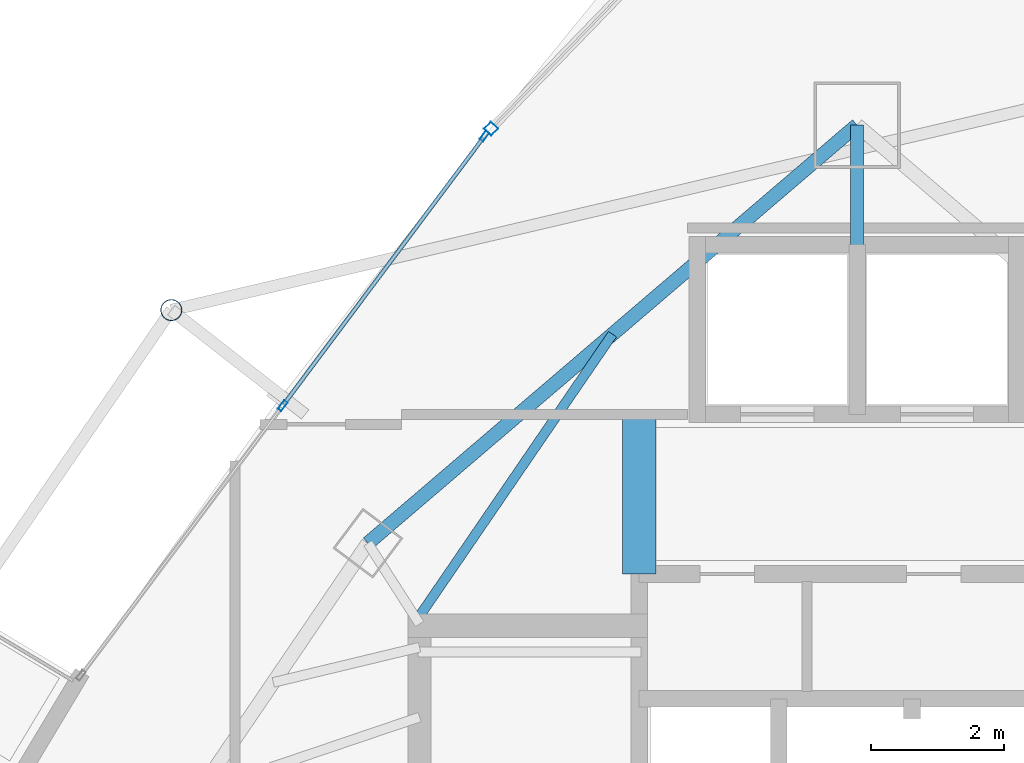
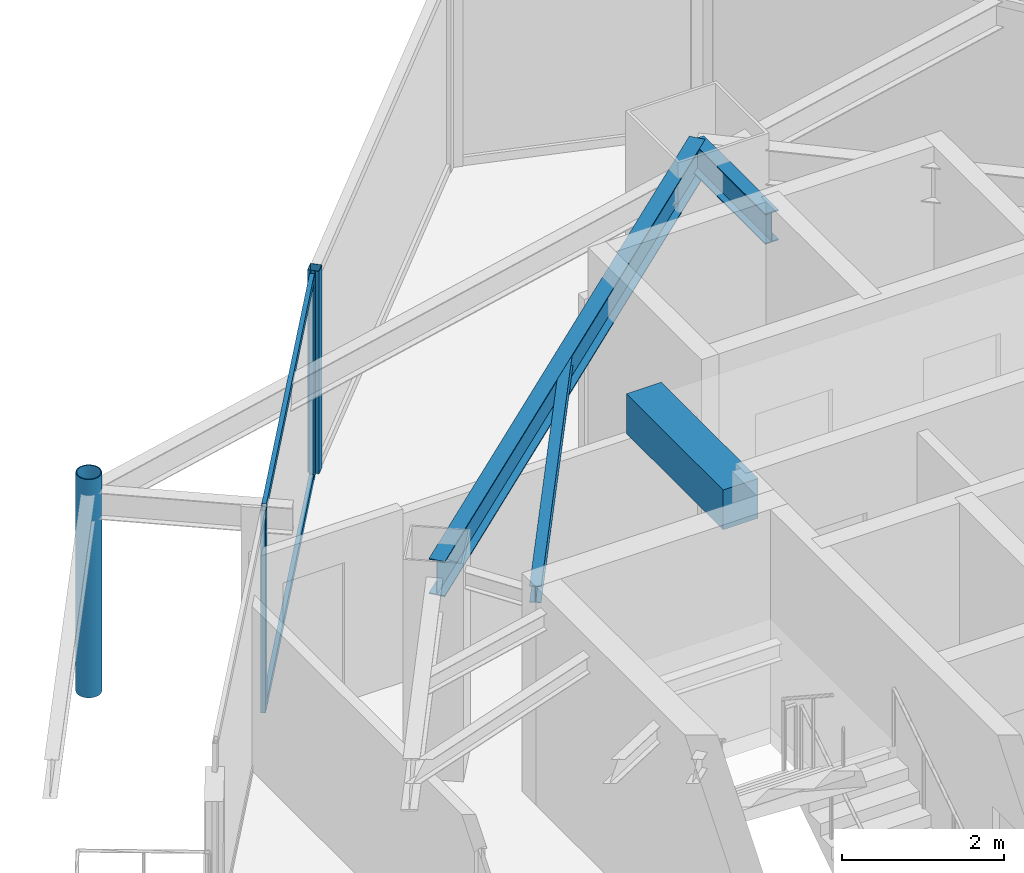
# One storey, part 23 of 33: 6 members, 4 beams, 2 elements without a shape of their own.
"""IFC4 building model written with IfcOpenShell, lengths in metres."""

from ifc_helpers import new_model, si_unit, direction, frame, origin, origin_2d, place, context, subcontext, project, spatial, rectangle, hollow_rectangle, hollow_circle, i_section, extrude, material, layer, layer_set, material_profile, profile_set, type_object, element, aggregate, save


model = new_model("IFC4")

# Units and contexts
model_context = context("Model", 3, precision=1e-05, world=origin(), true_north=direction((0.0, 1.0)))
body_context = subcontext(model_context, "Body", "Model", "MODEL_VIEW")
ifc_project = project(units=[si_unit("LENGTHUNIT", "METRE"), si_unit("AREAUNIT", "SQUARE_METRE"), si_unit("VOLUMEUNIT", "CUBIC_METRE"), si_unit("PLANEANGLEUNIT", "RADIAN"), si_unit("MASSUNIT", "GRAM", prefix="KILO")], contexts=[model_context])

# Site, building, storey
site_placement = place(None, origin())
site = spatial("IfcSite", under=ifc_project, at=site_placement, CompositionType="ELEMENT")
building_placement = place(site_placement, origin())
building = spatial("IfcBuilding", under=site, at=building_placement, Name="Orvanel Arch Residences", CompositionType="ELEMENT")
storey_placement = place(building_placement, frame((0.0, 0.0, 206.300048828125)))
storey = spatial("IfcBuildingStorey", under=building, at=storey_placement, Name="L58", CompositionType="ELEMENT", Elevation=206.300048828125)

# Beams
ifc_material_1 = material(Name="Structural steel AS/NZS 3679.1 Grade 300 (300 MPa)", Category="steel")
ifc_material_profile_1 = material_profile(ifc_material_1, i_section(OverallWidth=0.19091796875, OverallDepth=0.4599609375, WebThickness=0.010009765625, FlangeThickness=0.01611328125, at=origin_2d()), Name="460UB82.1")
ifc_profile_set_1 = profile_set([ifc_material_profile_1], Name="Structural steel AS/NZS 3679.1 Grade 300 (300 MPa)")
beam_type_1 = type_object("IfcBeamType", Name="BG-460UB", PredefinedType="BEAM", material=ifc_profile_set_1)
beam_1_placement = place(storey_placement, frame((33.0, 39.550048828125, 2.829833984375), z_axis=(0.0, 1.0, 0.0), x_axis=(-1.0, 0.0, 0.0)))
element("IfcBeam", 1, at=beam_1_placement, inside=storey, type_object=beam_type_1, Name="L58 North Radial Girder", PredefinedType="BEAM", context=body_context, shape_type="SweptSolid", body=[
    extrude(i_section(OverallWidth=0.19091796875, OverallDepth=0.4599609375, WebThickness=0.010009765625, FlangeThickness=0.01611328125, at=origin_2d()), origin(), (0.0, 0.0, 1.0), 1.847900390625),
])
ifc_material_profile_2 = material_profile(ifc_material_1, i_section(OverallWidth=0.14599609375, OverallDepth=0.251953125, WebThickness=0.006103515625, FlangeThickness=0.008544921875, at=origin_2d()), Name="250UB31.4")
ifc_profile_set_2 = profile_set([ifc_material_profile_2], Name="Structural steel AS/NZS 3679.1 Grade 300 (300 MPa)")
beam_type_2 = type_object("IfcBeamType", Name="BJ-250UB", PredefinedType="JOIST", material=ifc_profile_set_2)
beam_2_placement = place(storey_placement, frame((26.425048828125, 34.02001953125, 2.933837890625), z_axis=(0.564868085352, 0.825181220188, 0.0), x_axis=(-0.825181220188, 0.564868085352, 0.0)))
element("IfcBeam", 2, at=beam_2_placement, inside=storey, type_object=beam_type_2, Name="L58 NNW2 Wing Floor Joist", PredefinedType="JOIST", context=body_context, shape_type="SweptSolid", body=[
    extrude(i_section(OverallWidth=0.14599609375, OverallDepth=0.251953125, WebThickness=0.006103515625, FlangeThickness=0.008544921875, at=origin_2d()), origin(), (0.0, 0.0, 1.0), 5.132080078125),
])
ifc_material_2 = material(Name="Concrete S65 (65 MPa)", Category="concrete")
ifc_material_profile_3 = material_profile(ifc_material_2, rectangle(XDim=0.5, YDim=0.60009765625, at=origin_2d()), Name="RC500x600")
ifc_profile_set_3 = profile_set([ifc_material_profile_3], Name="Concrete S65 (65 MPa)")
beam_type_3 = type_object("IfcBeamType", Name="CB-500x600", PredefinedType="LINTEL", material=ifc_profile_set_3)
beam_3_placement = place(storey_placement, frame((29.72509765625, 34.64990234375, 2.760009765625), z_axis=(0.0, 1.0, 0.0), x_axis=(-1.0, 0.0, 0.0)))
element("IfcBeam", 3, at=beam_3_placement, inside=storey, type_object=beam_type_3, Name="L58 West Core Lobby Coupling Lintel Beam", PredefinedType="LINTEL", context=body_context, shape_type="SweptSolid", body=[
    extrude(rectangle(XDim=0.5, YDim=0.60009765625, at=origin_2d()), origin(), (0.0, 0.0, 1.0), 2.400146484375),
])

# Curtain wall, member
ifc_material_3 = material(Name="Bronze-anodised aluminium AA6063-T6", Category="aluminium")
ifc_layer_1 = layer(ifc_material_3, 0.18994140625)
ifc_layer_set_1 = layer_set([ifc_layer_1], Name="Bronze-anodised aluminium AA6063-T6")
curtain_wall_type_1 = type_object("IfcCurtainWallType", Name="CW5-CRN-SYS", PredefinedType="NOTDEFINED", material=ifc_layer_set_1)
curtain_wall_1_placement = place(storey_placement, origin())
curtain_wall_1 = element("IfcCurtainWall", 4, at=curtain_wall_1_placement, inside=storey, type_object=curtain_wall_type_1, Name="L58 CW5-CRN-SYS Unitised Curtain Wall", PredefinedType="NOTDEFINED")
ifc_material_profile_4 = material_profile(ifc_material_3, hollow_rectangle(XDim=0.14990234375, YDim=0.14990234375, WallThickness=0.0048828125, at=origin_2d()), Name="ALU150x150x5")
ifc_profile_set_4 = profile_set([ifc_material_profile_4], Name="Bronze-anodised aluminium AA6063-T6")
member_type_1 = type_object("IfcMemberType", Name="MUL-150x150", PredefinedType="MULLION", material=ifc_profile_set_4)
member_1_placement = place(storey_placement, frame((27.498291015625, 41.3427734375, 0.0), z_axis=(0.0, 0.0, 1.0), x_axis=(0.718044101209, -0.695997606834, 0.0)))
member_1 = element("IfcMember", 5, at=member_1_placement, type_object=member_type_1, Name="CW-S5 mullion 2", PredefinedType="MULLION", context=body_context, shape_type="SweptSolid", body=[
    extrude(hollow_rectangle(XDim=0.14990234375, YDim=0.14990234375, WallThickness=0.0048828125, at=origin_2d()), origin(), (0.0, 0.0, 1.0), 3.06005859375),
])
aggregate(curtain_wall_1, [member_1])

# Curtain wall, members
ifc_layer_2 = layer(ifc_material_3, 0.175048828125)
ifc_layer_set_2 = layer_set([ifc_layer_2], Name="Bronze-anodised aluminium AA6063-T6")
curtain_wall_type_2 = type_object("IfcCurtainWallType", Name="CW4-HI-SYS", PredefinedType="NOTDEFINED", material=ifc_layer_set_2)
curtain_wall_2_placement = place(storey_placement, origin())
curtain_wall_2 = element("IfcCurtainWall", 6, at=curtain_wall_2_placement, inside=storey, type_object=curtain_wall_type_2, Name="L58 CW4-HI-SYS Unitised Curtain Wall", PredefinedType="NOTDEFINED")
ifc_material_profile_5 = material_profile(ifc_material_3, hollow_rectangle(XDim=0.06494140625, YDim=0.159912109375, WallThickness=0.00390625, at=origin_2d()), Name="ALU160x65x4")
ifc_profile_set_5 = profile_set([ifc_material_profile_5], Name="Bronze-anodised aluminium AA6063-T6")
member_type_2 = type_object("IfcMemberType", Name="MUL-160x65", PredefinedType="MULLION", material=ifc_profile_set_5)
member_2_placement = place(storey_placement, frame((27.400634765625, 41.23291015625, 0.0), z_axis=(0.0, 0.0, 1.0), x_axis=(0.800635505282, -0.599151723424, 0.0)))
member_2 = element("IfcMember", 7, at=member_2_placement, type_object=member_type_2, Name="CW-S4 mullion 1", PredefinedType="MULLION", context=body_context, shape_type="SweptSolid", body=[
    extrude(hollow_rectangle(XDim=0.06494140625, YDim=0.159912109375, WallThickness=0.00390625, at=origin_2d()), origin(), (0.0, 0.0, 1.0), 3.06005859375),
])
member_3_placement = place(storey_placement, frame((24.367431640625, 37.179931640625, 0.0), z_axis=(0.0, 0.0, 1.0), x_axis=(0.800635505282, -0.599151723424, 0.0)))
member_3 = element("IfcMember", 8, at=member_3_placement, type_object=member_type_2, Name="CW-S4 mullion 2", PredefinedType="MULLION", context=body_context, shape_type="SweptSolid", body=[
    extrude(hollow_rectangle(XDim=0.06494140625, YDim=0.159912109375, WallThickness=0.00390625, at=origin_2d()), origin(), (0.0, 0.0, 1.0), 3.06005859375),
])

# Beam
ifc_material_profile_6 = material_profile(ifc_material_1, i_section(OverallWidth=0.208984375, OverallDepth=0.532958984375, WebThickness=0.01025390625, FlangeThickness=0.015625, at=origin_2d()), Name="530UB92.4")
ifc_profile_set_6 = profile_set([ifc_material_profile_6], Name="Structural steel AS/NZS 3679.1 Grade 300 (300 MPa)")
beam_type_4 = type_object("IfcBeamType", Name="SP-530UB", PredefinedType="SPANDREL", material=ifc_profile_set_6)
beam_4_placement = place(storey_placement, frame((33.0, 41.39794921875, 2.7939453125), z_axis=(-0.760116518398, -0.649786794617, 0.0), x_axis=(0.649786794617, -0.760116518398, 0.0)))
element("IfcBeam", 9, at=beam_4_placement, inside=storey, type_object=beam_type_4, Name="L58 Perimeter Spandrel Beam 10", PredefinedType="SPANDREL", context=body_context, shape_type="SweptSolid", body=[
    extrude(i_section(OverallWidth=0.208984375, OverallDepth=0.532958984375, WebThickness=0.01025390625, FlangeThickness=0.015625, at=origin_2d()), origin(), (0.0, 0.0, 1.0), 9.67236328125),
])

# Member
ifc_material_4 = material(Name="Structural steel AS/NZS 1163 C350L0 (Grade 350)", Category="steel")
ifc_material_profile_7 = material_profile(ifc_material_4, hollow_circle(Radius=0.162109375, WallThickness=0.0126953125, at=origin_2d()), Name="CHS324x12.7")
ifc_profile_set_7 = profile_set([ifc_material_profile_7], Name="Structural steel AS/NZS 1163 C350L0 (Grade 350)")
member_type_3 = type_object("IfcMemberType", Name="ST-324CHS-EXT", PredefinedType="STRUT", material=ifc_profile_set_7)
member_4_placement = place(storey_placement, frame((22.694091796875, 38.616943359375, 0.0), z_axis=(0.0, 0.0, 1.0), x_axis=(1.0, 0.0, 0.0)))
element("IfcMember", 10, at=member_4_placement, inside=storey, type_object=member_type_3, Name="L58 Outer Perimeter Frame Post 01", PredefinedType="STRUT", context=body_context, shape_type="SweptSolid", body=[
    extrude(hollow_circle(Radius=0.162109375, WallThickness=0.0126953125, at=origin_2d()), origin(), (0.0, 0.0, 1.0), 3.300048828125),
])

ifc_material_profile_8 = material_profile(ifc_material_3, hollow_rectangle(XDim=0.06005859375, YDim=0.1201171875, WallThickness=0.00341796875, at=origin_2d()), Name="ALU120x60x3.5")
ifc_profile_set_8 = profile_set([ifc_material_profile_8], Name="Bronze-anodised aluminium AA6063-T6")
member_type_4 = type_object("IfcMemberType", Name="TRN-120x60", PredefinedType="USERDEFINED", material=ifc_profile_set_8)
member_5_placement = place(storey_placement, frame((27.381103515625, 41.20703125, 0.030029296875), z_axis=(-0.599155454717, -0.800632712973, 0.0), x_axis=(0.800632712973, -0.599155454717, 0.0)))
member_5 = element("IfcMember", 11, at=member_5_placement, type_object=member_type_4, Name="CW-S4 transom 1.1", ObjectType="TRANSOM", PredefinedType="USERDEFINED", context=body_context, shape_type="SweptSolid", body=[
    extrude(hollow_rectangle(XDim=0.06005859375, YDim=0.1201171875, WallThickness=0.00341796875, at=origin_2d()), origin(), (0.0, 0.0, 1.0), 4.997314453125),
])

member_6_placement = place(storey_placement, frame((27.381103515625, 41.20703125, 3.030029296875), z_axis=(-0.599155454717, -0.800632712973, 0.0), x_axis=(0.800632712973, -0.599155454717, 0.0)))
member_6 = element("IfcMember", 12, at=member_6_placement, type_object=member_type_4, Name="CW-S4 transom 1.2", ObjectType="TRANSOM", PredefinedType="USERDEFINED", context=body_context, shape_type="SweptSolid", body=[
    extrude(hollow_rectangle(XDim=0.06005859375, YDim=0.1201171875, WallThickness=0.00341796875, at=origin_2d()), origin(), (0.0, 0.0, 1.0), 4.997314453125),
])

aggregate(curtain_wall_2, [member_2, member_3, member_5, member_6])

save(model, "model.ifc")
